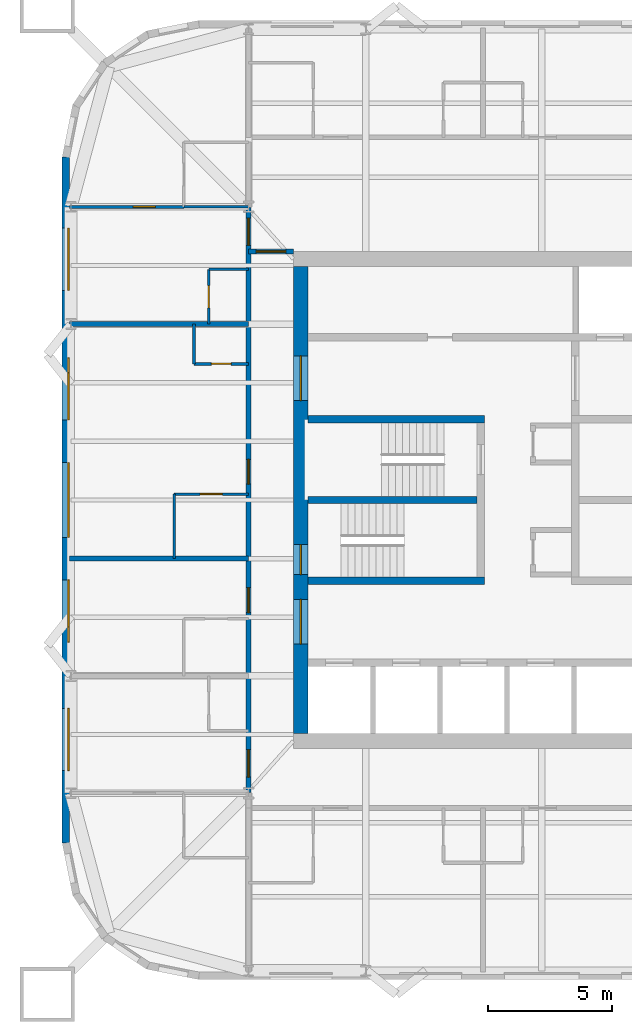
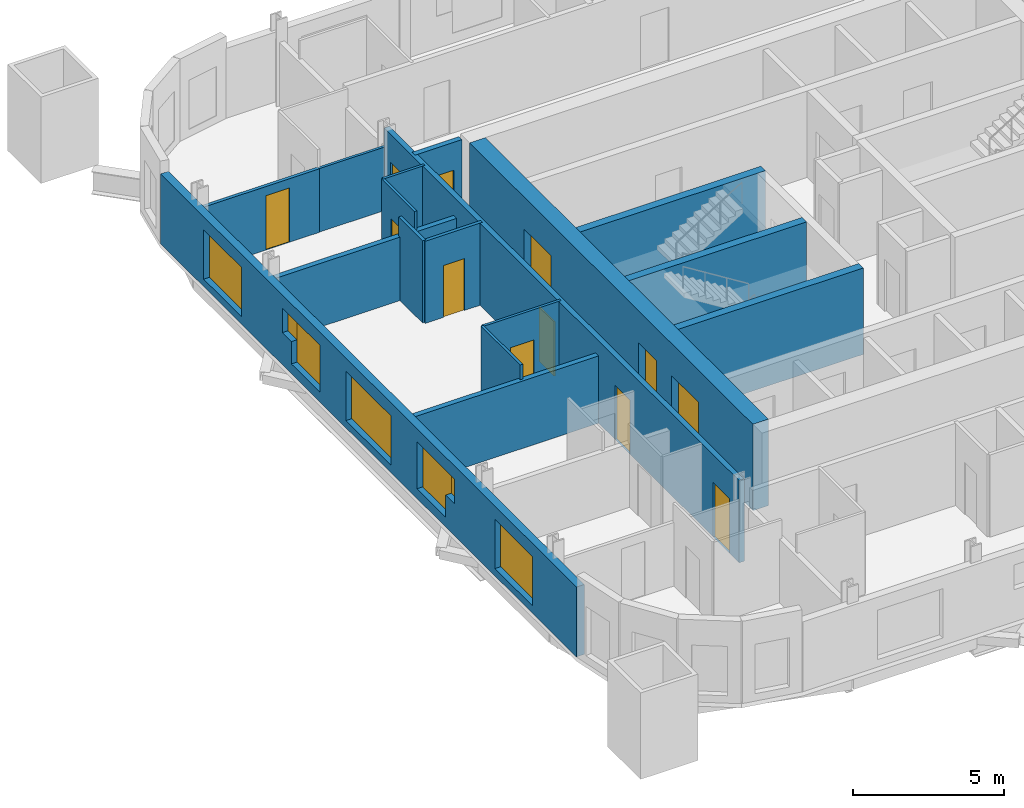
# One storey, part 4 of 9: 17 walls, 12 doors, 7 windows, 19 openings.
"""IFC4 building model written with IfcOpenShell, lengths in metres."""

from ifc_helpers import new_model, si_unit, direction, frame, frame_2d, origin, place, context, subcontext, project, spatial, rectangle, extrude, material, layer, layer_set, type_object, element, fill, save


model = new_model("IFC4")

# Units and contexts
model_context = context("Model", 3, precision=1e-05, world=origin(), true_north=direction((0.0, 1.0)))
body_context = subcontext(model_context, "Body", "Model", "MODEL_VIEW")
ifc_project = project(units=[si_unit("LENGTHUNIT", "METRE"), si_unit("AREAUNIT", "SQUARE_METRE"), si_unit("VOLUMEUNIT", "CUBIC_METRE"), si_unit("PLANEANGLEUNIT", "RADIAN"), si_unit("MASSUNIT", "GRAM", prefix="KILO")], contexts=[model_context])

# Site, building, storey
site_placement = place(None, origin())
site = spatial("IfcSite", under=ifc_project, at=site_placement, CompositionType="ELEMENT")
building_placement = place(site_placement, origin())
building = spatial("IfcBuilding", under=site, at=building_placement, Name="Turquesa Mirador Hotel Tower", CompositionType="ELEMENT")
storey_placement = place(building_placement, frame((0.0, 0.0, 200.300048828125)))
storey = spatial("IfcBuildingStorey", under=building, at=storey_placement, Name="L54", CompositionType="ELEMENT", Elevation=200.300048828125)

# Wall, opening, door
ifc_material_1 = material(Name="Gypsum board on steel studs", Category="steel")
ifc_layer_1 = layer(ifc_material_1, 0.10009765625)
ifc_layer_set_1 = layer_set([ifc_layer_1], Name="BATHROOM WALL 100")
wall_type_1 = type_object("IfcWallType", Name="BATHROOM WALL 100", PredefinedType="PARTITIONING", material=ifc_layer_set_1)
wall_1_placement = place(storey_placement, frame((40.199951171875, 45.239990234375, 0.0), z_axis=(0.0, 0.0, 1.0), x_axis=(1.0, 0.0, 0.0)))
wall_1 = element("IfcWall", 1, at=wall_1_placement, inside=storey, type_object=wall_type_1, Name="Partition L54 020", PredefinedType="PARTITIONING", context=body_context, shape_type="SweptSolid", body=[
    extrude(rectangle(XDim=3.0, YDim=0.10009765625, at=frame_2d((1.5, 0.0))), origin(), (0.0, 0.0, 1.0), 3.329833984375),
])
opening_1_placement = place(wall_1_placement, frame((1.050048828125, 0.0, 0.0)))
opening_1 = element("IfcOpeningElement", 2, at=opening_1_placement, cuts=wall_1, Name="Opening D02", PredefinedType="OPENING", context=body_context, shape_type="SweptSolid", body=[
    extrude(rectangle(XDim=0.89990234375, YDim=2.10009765625, at=frame_2d((0.449951171875, 1.050048828125))), frame((0.0, 0.06005859375, 0.0), z_axis=(0.0, -1.0, 0.0), x_axis=(1.0, 0.0, 0.0)), (0.0, 0.0, 1.0), 0.1201171875),
])
ifc_material_2 = material(Name="Timber veneered door", Category="wood")
door_type_1 = type_object("IfcDoorType", Name="DOOR 900X2100 EN-SUITE", OperationType="SINGLE_SWING_RIGHT", PredefinedType="DOOR", material=ifc_material_2)
door_1_placement = place(opening_1_placement, origin())
door_1 = element("IfcDoor", 3, at=door_1_placement, inside=storey, type_object=door_type_1, Name="Door 5408B", OperationType="SINGLE_SWING_RIGHT", OverallHeight=2.10009765625, OverallWidth=0.89990234375, PredefinedType="DOOR", context=body_context, shape_type="SweptSolid", body=[
    extrude(rectangle(XDim=0.89990234375, YDim=2.10009765625, at=frame_2d((0.449951171875, 1.050048828125))), frame((0.0, 0.02490234375, 0.0), z_axis=(0.0, -1.0, 0.0), x_axis=(1.0, 0.0, 0.0)), (0.0, 0.0, 1.0), 0.050048828125),
])
fill(opening_1, door_1)

# Walls
wall_2_placement = place(storey_placement, frame((40.60009765625, 56.800048828125, 0.0), z_axis=(0.0, 0.0, 1.0), x_axis=(1.0, 0.0, 0.0)))
element("IfcWall", 4, at=wall_2_placement, inside=storey, type_object=wall_type_1, Name="Partition L54 024", PredefinedType="PARTITIONING", context=body_context, shape_type="SweptSolid", body=[
    extrude(rectangle(XDim=2.599853515625, YDim=0.10009765625, at=frame_2d((1.2998046875, 0.0))), origin(), (0.0, 0.0, 1.0), 2.572998046875),
])
wall_3_placement = place(storey_placement, frame((41.60009765625, 54.280029296875, 0.0), z_axis=(0.0, 0.0, 1.0), x_axis=(1.0, 0.0, 0.0)))
element("IfcWall", 5, at=wall_3_placement, inside=storey, type_object=wall_type_1, Name="Partition L54 039", PredefinedType="PARTITIONING", context=body_context, shape_type="SweptSolid", body=[
    extrude(rectangle(XDim=1.599853515625, YDim=0.10009765625, at=frame_2d((0.7998046875, 0.0))), origin(), (0.0, 0.0, 1.0), 3.329833984375),
])

# Wall, opening, door
wall_4_placement = place(storey_placement, frame((41.60009765625, 52.080078125, 0.0), z_axis=(0.0, 0.0, 1.0), x_axis=(0.0, 1.0, 0.0)))
wall_4 = element("IfcWall", 6, at=wall_4_placement, inside=storey, type_object=wall_type_1, Name="Partition L54 047", PredefinedType="PARTITIONING", context=body_context, shape_type="SweptSolid", body=[
    extrude(rectangle(XDim=2.199951171875, YDim=0.10009765625, at=frame_2d((1.10009765625, 0.0))), origin(), (0.0, 0.0, 1.0), 3.329833984375),
])
opening_2_placement = place(wall_4_placement, frame((0.64990234375, 0.0, 0.0)))
opening_2 = element("IfcOpeningElement", 7, at=opening_2_placement, cuts=wall_4, Name="Opening D06", PredefinedType="OPENING", context=body_context, shape_type="SweptSolid", body=[
    extrude(rectangle(XDim=0.89990234375, YDim=2.10009765625, at=frame_2d((0.449951171875, 1.050048828125))), frame((0.0, 0.06005859375, 0.0), z_axis=(0.0, -1.0, 0.0), x_axis=(1.0, 0.0, 0.0)), (0.0, 0.0, 1.0), 0.1201171875),
])
ifc_material_3 = material(Name="Laminate door", Category="wood")
door_type_2 = type_object("IfcDoorType", Name="DOOR 900X2100 WC", OperationType="SINGLE_SWING_LEFT", PredefinedType="DOOR", material=ifc_material_3)
door_2_placement = place(opening_2_placement, origin())
door_2 = element("IfcDoor", 8, at=door_2_placement, inside=storey, type_object=door_type_2, Name="Door 5410W", OperationType="SINGLE_SWING_LEFT", OverallHeight=2.10009765625, OverallWidth=0.89990234375, PredefinedType="DOOR", context=body_context, shape_type="SweptSolid", body=[
    extrude(rectangle(XDim=0.89990234375, YDim=2.10009765625, at=frame_2d((0.449951171875, 1.050048828125))), frame((0.0, 0.02490234375, 0.0), z_axis=(0.0, -1.0, 0.0), x_axis=(1.0, 0.0, 0.0)), (0.0, 0.0, 1.0), 0.050048828125),
])
fill(opening_2, door_2)

# Walls
wall_5_placement = place(storey_placement, frame((40.199951171875, 42.639892578125, 0.0), z_axis=(0.0, 0.0, 1.0), x_axis=(0.0, 1.0, 0.0)))
element("IfcWall", 9, at=wall_5_placement, inside=storey, type_object=wall_type_1, Name="Partition L54 052", PredefinedType="PARTITIONING", context=body_context, shape_type="SweptSolid", body=[
    extrude(rectangle(XDim=2.60009765625, YDim=0.10009765625, at=frame_2d((1.300048828125, 0.0))), origin(), (0.0, 0.0, 1.0), 3.329833984375),
])
ifc_material_4 = material(Name="Concrete C50/60", Category="concrete")
ifc_layer_2 = layer(ifc_material_4, 0.300048828125)
ifc_layer_set_2 = layer_set([ifc_layer_2], Name="CORE INNER WALL 300")
wall_type_2 = type_object("IfcWallType", Name="CORE INNER WALL 300", PredefinedType="SHEAR", material=ifc_layer_set_2)
for number, where, z_axis, x_axis, name in (
    (10, (45.60009765625, 48.25, 0.0), (0.0, 0.0, 1.0), (1.0, 0.0, 0.0), "Core wall MN-W"),
    (11, (45.60009765625, 41.75, 0.0), (0.0, 0.0, 1.0), (1.0, 0.0, 0.0), "Core wall MS-W"),
):
    element("IfcWall", number, at=place(storey_placement, frame(where, z_axis=z_axis, x_axis=x_axis)), inside=storey, type_object=wall_type_2, Name=name, PredefinedType="SHEAR", context=body_context, shape_type="SweptSolid", body=[
        extrude(rectangle(XDim=7.099853515625, YDim=0.300048828125, at=frame_2d((3.5498046875, 0.0))), origin(), (0.0, 0.0, 1.0), 3.5),
    ])
wall_6_placement = place(storey_placement, frame((45.60009765625, 45.0, 0.0), z_axis=(0.0, 0.0, 1.0), x_axis=(1.0, 0.0, 0.0)))
element("IfcWall", 12, at=wall_6_placement, inside=storey, type_object=wall_type_2, Name="Core wall M0-W", PredefinedType="SHEAR", context=body_context, shape_type="SweptSolid", body=[
    extrude(rectangle(XDim=6.7998046875, YDim=0.300048828125, at=frame_2d((3.39990234375, 0.0))), origin(), (0.0, 0.0, 1.0), 3.5),
])

# Wall, openings, doors
ifc_material_5 = material(Name="Concrete C50/60", Category="concrete")
ifc_layer_3 = layer(ifc_material_5, 0.60009765625)
ifc_layer_set_3 = layer_set([ifc_layer_3], Name="CORE WALL 600")
wall_type_3 = type_object("IfcWallType", Name="CORE WALL 600", PredefinedType="SHEAR", material=ifc_layer_set_3)
wall_7_placement = place(storey_placement, frame((45.300048828125, 35.60009765625, 0.0), z_axis=(0.0, 0.0, 1.0), x_axis=(0.0, 1.0, 0.0)))
wall_7 = element("IfcWall", 13, at=wall_7_placement, inside=storey, type_object=wall_type_3, Name="Core wall W", PredefinedType="SHEAR", context=body_context, shape_type="SweptSolid", body=[
    extrude(rectangle(XDim=18.7998046875, YDim=0.60009765625, at=frame_2d((9.39990234375, 0.0))), origin(), (0.0, 0.0, 1.0), 3.5),
])
opening_3_placement = place(wall_7_placement, frame((13.39990234375, 0.0, 0.0)))
opening_3 = element("IfcOpeningElement", 14, at=opening_3_placement, cuts=wall_7, Name="Opening D04", PredefinedType="OPENING", context=body_context, shape_type="SweptSolid", body=[
    extrude(rectangle(XDim=1.800048828125, YDim=2.199951171875, at=frame_2d((0.89990234375, 1.10009765625))), frame((0.0, 0.31005859375, 0.0), z_axis=(0.0, -1.0, 0.0), x_axis=(1.0, 0.0, 0.0)), (0.0, 0.0, 1.0), 0.6201171875),
])
opening_4_placement = place(wall_7_placement, frame((3.60009765625, 0.0, 0.0)))
opening_4 = element("IfcOpeningElement", 15, at=opening_4_placement, cuts=wall_7, Name="Opening D04", PredefinedType="OPENING", context=body_context, shape_type="SweptSolid", body=[
    extrude(rectangle(XDim=1.800048828125, YDim=2.199951171875, at=frame_2d((0.89990234375, 1.10009765625))), frame((0.0, 0.31005859375, 0.0), z_axis=(0.0, -1.0, 0.0), x_axis=(1.0, 0.0, 0.0)), (0.0, 0.0, 1.0), 0.6201171875),
])
opening_5_placement = place(wall_7_placement, frame((6.39990234375, 0.0, 0.0)))
opening_5 = element("IfcOpeningElement", 16, at=opening_5_placement, cuts=wall_7, Name="Opening D03", PredefinedType="OPENING", context=body_context, shape_type="SweptSolid", body=[
    extrude(rectangle(XDim=1.199951171875, YDim=2.199951171875, at=frame_2d((0.60009765625, 1.10009765625))), frame((0.0, 0.31005859375, 0.0), z_axis=(0.0, -1.0, 0.0), x_axis=(1.0, 0.0, 0.0)), (0.0, 0.0, 1.0), 0.6201171875),
])
ifc_material_6 = material(Name="Steel fire door", Category="steel")
door_type_3 = type_object("IfcDoorType", Name="DOOR 1200X2200 STAIR", OperationType="SINGLE_SWING_LEFT", PredefinedType="DOOR", material=ifc_material_6)
door_3_placement = place(opening_5_placement, origin())
door_3 = element("IfcDoor", 17, at=door_3_placement, inside=storey, type_object=door_type_3, Name="Stair ST2 door", OperationType="SINGLE_SWING_LEFT", OverallHeight=2.199951171875, OverallWidth=1.199951171875, PredefinedType="DOOR", context=body_context, shape_type="SweptSolid", body=[
    extrude(rectangle(XDim=1.199951171875, YDim=2.199951171875, at=frame_2d((0.60009765625, 1.10009765625))), frame((0.0, 0.02490234375, 0.0), z_axis=(0.0, -1.0, 0.0), x_axis=(1.0, 0.0, 0.0)), (0.0, 0.0, 1.0), 0.050048828125),
])
fill(opening_5, door_3)
ifc_material_7 = material(Name="Steel fire door pair", Category="steel")
door_type_4 = type_object("IfcDoorType", Name="DOOR 1800X2200 PAIR", OperationType="DOUBLE_DOOR_SINGLE_SWING", PredefinedType="DOOR", material=ifc_material_7)
door_4_placement = place(opening_3_placement, origin())
door_4 = element("IfcDoor", 18, at=door_4_placement, inside=storey, type_object=door_type_4, Name="North lift lobby door", OperationType="DOUBLE_DOOR_SINGLE_SWING", OverallHeight=2.199951171875, OverallWidth=1.800048828125, PredefinedType="DOOR", context=body_context, shape_type="SweptSolid", body=[
    extrude(rectangle(XDim=1.800048828125, YDim=2.199951171875, at=frame_2d((0.89990234375, 1.10009765625))), frame((0.0, 0.02490234375, 0.0), z_axis=(0.0, -1.0, 0.0), x_axis=(1.0, 0.0, 0.0)), (0.0, 0.0, 1.0), 0.050048828125),
])
fill(opening_3, door_4)
door_5_placement = place(opening_4_placement, origin())
door_5 = element("IfcDoor", 19, at=door_5_placement, inside=storey, type_object=door_type_4, Name="South lift lobby door", OperationType="DOUBLE_DOOR_SINGLE_SWING", OverallHeight=2.199951171875, OverallWidth=1.800048828125, PredefinedType="DOOR", context=body_context, shape_type="SweptSolid", body=[
    extrude(rectangle(XDim=1.800048828125, YDim=2.199951171875, at=frame_2d((0.89990234375, 1.10009765625))), frame((0.0, 0.02490234375, 0.0), z_axis=(0.0, -1.0, 0.0), x_axis=(1.0, 0.0, 0.0)), (0.0, 0.0, 1.0), 0.050048828125),
])
fill(opening_4, door_5)

# Wall, opening, door
ifc_material_8 = material(Name="Fire-rated gypsum board on steel studs", Category="steel")
ifc_layer_4 = layer(ifc_material_8, 0.199951171875)
ifc_layer_set_4 = layer_set([ifc_layer_4], Name="CORRIDOR WALL 200")
wall_type_4 = type_object("IfcWallType", Name="CORRIDOR WALL 200", PredefinedType="PARTITIONING", material=ifc_layer_set_4)
wall_8_placement = place(storey_placement, frame((43.199951171875, 55.0, 0.0), z_axis=(0.0, 0.0, 1.0), x_axis=(1.0, 0.0, 0.0)))
wall_8 = element("IfcWall", 20, at=wall_8_placement, inside=storey, type_object=wall_type_4, Name="Partition L54 022", PredefinedType="PARTITIONING", context=body_context, shape_type="SweptSolid", body=[
    extrude(rectangle(XDim=1.800048828125, YDim=0.199951171875, at=frame_2d((0.89990234375, 0.0))), origin(), (0.0, 0.0, 1.0), 3.329833984375),
])
opening_6_placement = place(wall_8_placement, frame((0.300048828125, 0.0, 0.0)))
opening_6 = element("IfcOpeningElement", 21, at=opening_6_placement, cuts=wall_8, Name="Opening D19", PredefinedType="OPENING", context=body_context, shape_type="SweptSolid", body=[
    extrude(rectangle(XDim=1.199951171875, YDim=2.199951171875, at=frame_2d((0.60009765625, 1.10009765625))), frame((0.0, 0.10986328125, 0.0), z_axis=(0.0, -1.0, 0.0), x_axis=(1.0, 0.0, 0.0)), (0.0, 0.0, 1.0), 0.219970703125),
])
ifc_material_9 = material(Name="Steel glazed fire door", Category="steel")
door_type_5 = type_object("IfcDoorType", Name="DOOR 1200X2200 FIRE DOOR GLAZED", OperationType="SINGLE_SWING_LEFT", PredefinedType="DOOR", material=ifc_material_9)
door_6_placement = place(opening_6_placement, origin())
door_6 = element("IfcDoor", 22, at=door_6_placement, inside=storey, type_object=door_type_5, Name="Door L54-C03", OperationType="SINGLE_SWING_LEFT", OverallHeight=2.199951171875, OverallWidth=1.199951171875, PredefinedType="DOOR", context=body_context, shape_type="SweptSolid", body=[
    extrude(rectangle(XDim=1.199951171875, YDim=2.199951171875, at=frame_2d((0.60009765625, 1.10009765625))), frame((0.0, 0.02490234375, 0.0), z_axis=(0.0, -1.0, 0.0), x_axis=(1.0, 0.0, 0.0)), (0.0, 0.0, 1.0), 0.050048828125),
])
fill(opening_6, door_6)

# Wall, openings, doors
wall_9_placement = place(storey_placement, frame((43.199951171875, 33.219970703125, 0.0), z_axis=(0.0, 0.0, 1.0), x_axis=(0.0, 1.0, 0.0)))
wall_9 = element("IfcWall", 23, at=wall_9_placement, inside=storey, type_object=wall_type_4, Name="Partition L54 043", PredefinedType="PARTITIONING", context=body_context, shape_type="SweptSolid", body=[
    extrude(rectangle(XDim=23.56005859375, YDim=0.199951171875, at=frame_2d((11.780029296875, 0.0))), origin(), (0.0, 0.0, 1.0), 3.329833984375),
])
opening_7_placement = place(wall_9_placement, frame((7.25, 0.0, 0.0)))
opening_7 = element("IfcOpeningElement", 24, at=opening_7_placement, cuts=wall_9, Name="Opening D01", PredefinedType="OPENING", context=body_context, shape_type="SweptSolid", body=[
    extrude(rectangle(XDim=1.0, YDim=2.199951171875, at=frame_2d((0.5, 1.10009765625))), frame((0.0, 0.10986328125, 0.0), z_axis=(0.0, -1.0, 0.0), x_axis=(1.0, 0.0, 0.0)), (0.0, 0.0, 1.0), 0.219970703125),
])
opening_8_placement = place(wall_9_placement, frame((12.419921875, 0.0, 0.0)))
opening_8 = element("IfcOpeningElement", 25, at=opening_8_placement, cuts=wall_9, Name="Opening D01", PredefinedType="OPENING", context=body_context, shape_type="SweptSolid", body=[
    extrude(rectangle(XDim=1.0, YDim=2.199951171875, at=frame_2d((0.5, 1.10009765625))), frame((0.0, 0.10986328125, 0.0), z_axis=(0.0, -1.0, 0.0), x_axis=(1.0, 0.0, 0.0)), (0.0, 0.0, 1.0), 0.219970703125),
])
opening_9_placement = place(wall_9_placement, frame((22.030029296875, 0.0, 0.0)))
opening_9 = element("IfcOpeningElement", 26, at=opening_9_placement, cuts=wall_9, Name="Opening D15", PredefinedType="OPENING", context=body_context, shape_type="SweptSolid", body=[
    extrude(rectangle(XDim=1.10009765625, YDim=2.199951171875, at=frame_2d((0.550048828125, 1.10009765625))), frame((0.0, 0.10986328125, 0.0), z_axis=(0.0, -1.0, 0.0), x_axis=(1.0, 0.0, 0.0)), (0.0, 0.0, 1.0), 0.219970703125),
])
opening_10_placement = place(wall_9_placement, frame((0.6298828125, 0.0, 0.0)))
opening_10 = element("IfcOpeningElement", 27, at=opening_10_placement, cuts=wall_9, Name="Opening D15", PredefinedType="OPENING", context=body_context, shape_type="SweptSolid", body=[
    extrude(rectangle(XDim=1.10009765625, YDim=2.199951171875, at=frame_2d((0.550048828125, 1.10009765625))), frame((0.0, 0.10986328125, 0.0), z_axis=(0.0, -1.0, 0.0), x_axis=(1.0, 0.0, 0.0)), (0.0, 0.0, 1.0), 0.219970703125),
])
ifc_material_10 = material(Name="Timber veneered fire door", Category="wood")
door_type_6 = type_object("IfcDoorType", Name="DOOR 1000X2200 GUEST ENTRY", OperationType="SINGLE_SWING_LEFT", PredefinedType="DOOR", material=ifc_material_10)
door_7_placement = place(opening_7_placement, origin())
door_7 = element("IfcDoor", 28, at=door_7_placement, inside=storey, type_object=door_type_6, Name="Door 5407", OperationType="SINGLE_SWING_LEFT", OverallHeight=2.199951171875, OverallWidth=1.0, PredefinedType="DOOR", context=body_context, shape_type="SweptSolid", body=[
    extrude(rectangle(XDim=1.0, YDim=2.199951171875, at=frame_2d((0.5, 1.10009765625))), frame((0.0, 0.02490234375, 0.0), z_axis=(0.0, -1.0, 0.0), x_axis=(1.0, 0.0, 0.0)), (0.0, 0.0, 1.0), 0.050048828125),
])
fill(opening_7, door_7)
door_8_placement = place(opening_8_placement, origin())
door_8 = element("IfcDoor", 29, at=door_8_placement, inside=storey, type_object=door_type_6, Name="Door 5408", OperationType="SINGLE_SWING_LEFT", OverallHeight=2.199951171875, OverallWidth=1.0, PredefinedType="DOOR", context=body_context, shape_type="SweptSolid", body=[
    extrude(rectangle(XDim=1.0, YDim=2.199951171875, at=frame_2d((0.5, 1.10009765625))), frame((0.0, 0.02490234375, 0.0), z_axis=(0.0, -1.0, 0.0), x_axis=(1.0, 0.0, 0.0)), (0.0, 0.0, 1.0), 0.050048828125),
])
fill(opening_8, door_8)
ifc_material_11 = material(Name="Timber veneered fire door", Category="wood")
door_type_7 = type_object("IfcDoorType", Name="DOOR 1100X2200 SUITE ENTRY", OperationType="SINGLE_SWING_LEFT", PredefinedType="DOOR", material=ifc_material_11)
door_9_placement = place(opening_9_placement, origin())
door_9 = element("IfcDoor", 30, at=door_9_placement, inside=storey, type_object=door_type_7, Name="Door 5410", OperationType="SINGLE_SWING_LEFT", OverallHeight=2.199951171875, OverallWidth=1.10009765625, PredefinedType="DOOR", context=body_context, shape_type="SweptSolid", body=[
    extrude(rectangle(XDim=1.10009765625, YDim=2.199951171875, at=frame_2d((0.550048828125, 1.10009765625))), frame((0.0, 0.02490234375, 0.0), z_axis=(0.0, -1.0, 0.0), x_axis=(1.0, 0.0, 0.0)), (0.0, 0.0, 1.0), 0.050048828125),
])
fill(opening_9, door_9)
door_10_placement = place(opening_10_placement, origin())
door_10 = element("IfcDoor", 31, at=door_10_placement, inside=storey, type_object=door_type_7, Name="Door 5411", OperationType="SINGLE_SWING_LEFT", OverallHeight=2.199951171875, OverallWidth=1.10009765625, PredefinedType="DOOR", context=body_context, shape_type="SweptSolid", body=[
    extrude(rectangle(XDim=1.10009765625, YDim=2.199951171875, at=frame_2d((0.550048828125, 1.10009765625))), frame((0.0, 0.02490234375, 0.0), z_axis=(0.0, -1.0, 0.0), x_axis=(1.0, 0.0, 0.0)), (0.0, 0.0, 1.0), 0.050048828125),
])
fill(opening_10, door_10)

# Wall, openings, windows
ifc_material_12 = material(Name="Limestone cladding on concrete block", Category="masonry")
ifc_layer_5 = layer(ifc_material_12, 0.300048828125)
ifc_layer_set_5 = layer_set([ifc_layer_5], Name="FACADE WALL 300 STONE SCREEN")
wall_type_5 = type_object("IfcWallType", Name="FACADE WALL 300 STONE SCREEN", PredefinedType="SOLIDWALL", material=ifc_layer_set_5)
wall_10_placement = place(storey_placement, frame((35.85009765625, 58.800048828125, 0.0), z_axis=(0.0, 0.0, 1.0), x_axis=(0.0, -1.0, 0.0)))
wall_10 = element("IfcWall", 32, at=wall_10_placement, inside=storey, type_object=wall_type_5, Name="Facade wall L54 14", PredefinedType="SOLIDWALL", context=body_context, shape_type="SweptSolid", body=[
    extrude(rectangle(XDim=27.60009765625, YDim=0.300048828125, at=frame_2d((13.800048828125, 0.0))), origin(), (0.0, 0.0, 1.0), 2.829833984375),
])
opening_11_placement = place(wall_10_placement, frame((2.860107421875, 0.0, 0.300048828125)))
opening_11 = element("IfcOpeningElement", 33, at=opening_11_placement, cuts=wall_10, Name="Opening WN52", PredefinedType="OPENING", context=body_context, shape_type="SweptSolid", body=[
    extrude(rectangle(XDim=2.5, YDim=2.0, at=frame_2d((1.25, 1.0))), frame((0.0, 0.159912109375, 0.0), z_axis=(0.0, -1.0, 0.0), x_axis=(1.0, 0.0, 0.0)), (0.0, 0.0, 1.0), 0.320068359375),
])
opening_12_placement = place(wall_10_placement, frame((8.679931640625, 0.0, 0.39990234375)))
opening_12 = element("IfcOpeningElement", 34, at=opening_12_placement, cuts=wall_10, Name="Opening WN48", PredefinedType="OPENING", context=body_context, shape_type="SweptSolid", body=[
    extrude(rectangle(XDim=1.89990234375, YDim=1.89990234375, at=frame_2d((0.949951171875, 0.949951171875))), frame((0.0, 0.159912109375, 0.0), z_axis=(0.0, -1.0, 0.0), x_axis=(1.0, 0.0, 0.0)), (0.0, 0.0, 1.0), 0.320068359375),
])
opening_13_placement = place(wall_10_placement, frame((12.300048828125, 0.0, 0.300048828125)))
opening_13 = element("IfcOpeningElement", 35, at=opening_13_placement, cuts=wall_10, Name="Opening WN1", PredefinedType="OPENING", context=body_context, shape_type="SweptSolid", body=[
    extrude(rectangle(XDim=3.0, YDim=2.0, at=frame_2d((1.5, 1.0))), frame((0.0, 0.159912109375, 0.0), z_axis=(0.0, -1.0, 0.0), x_axis=(1.0, 0.0, 0.0)), (0.0, 0.0, 1.0), 0.320068359375),
])
opening_14_placement = place(wall_10_placement, frame((17.02001953125, 0.0, 0.39990234375)))
opening_14 = element("IfcOpeningElement", 36, at=opening_14_placement, cuts=wall_10, Name="Opening WN48", PredefinedType="OPENING", context=body_context, shape_type="SweptSolid", body=[
    extrude(rectangle(XDim=1.89990234375, YDim=1.89990234375, at=frame_2d((0.949951171875, 0.949951171875))), frame((0.0, 0.159912109375, 0.0), z_axis=(0.0, -1.0, 0.0), x_axis=(1.0, 0.0, 0.0)), (0.0, 0.0, 1.0), 0.320068359375),
])
opening_15_placement = place(wall_10_placement, frame((22.18994140625, 0.0, 0.300048828125)))
opening_15 = element("IfcOpeningElement", 37, at=opening_15_placement, cuts=wall_10, Name="Opening WN52", PredefinedType="OPENING", context=body_context, shape_type="SweptSolid", body=[
    extrude(rectangle(XDim=2.5, YDim=2.0, at=frame_2d((1.25, 1.0))), frame((0.0, 0.159912109375, 0.0), z_axis=(0.0, -1.0, 0.0), x_axis=(1.0, 0.0, 0.0)), (0.0, 0.0, 1.0), 0.320068359375),
])
opening_16_placement = place(wall_10_placement, frame((8.080078125, 0.0, 1.300048828125)))
opening_16 = element("IfcOpeningElement", 38, at=opening_16_placement, cuts=wall_10, Name="Opening WN29", PredefinedType="OPENING", context=body_context, shape_type="SweptSolid", body=[
    extrude(rectangle(XDim=0.60009765625, YDim=1.0, at=frame_2d((0.300048828125, 0.5))), frame((0.0, 0.159912109375, 0.0), z_axis=(0.0, -1.0, 0.0), x_axis=(1.0, 0.0, 0.0)), (0.0, 0.0, 1.0), 0.320068359375),
])
opening_17_placement = place(wall_10_placement, frame((18.919921875, 0.0, 1.300048828125)))
opening_17 = element("IfcOpeningElement", 39, at=opening_17_placement, cuts=wall_10, Name="Opening WN29", PredefinedType="OPENING", context=body_context, shape_type="SweptSolid", body=[
    extrude(rectangle(XDim=0.60009765625, YDim=1.0, at=frame_2d((0.300048828125, 0.5))), frame((0.0, 0.159912109375, 0.0), z_axis=(0.0, -1.0, 0.0), x_axis=(1.0, 0.0, 0.0)), (0.0, 0.0, 1.0), 0.320068359375),
])
ifc_material_13 = material(Name="Ceramic-fritted laminated glass", Category="glass")
window_type_1 = type_object("IfcWindowType", Name="FRITTED WINDOW 1900X1900", PartitioningType="DOUBLE_PANEL_HORIZONTAL", PredefinedType="WINDOW", material=ifc_material_13)
window_1_placement = place(opening_12_placement, origin())
window_1 = element("IfcWindow", 40, at=window_1_placement, inside=storey, type_object=window_type_1, Name="Window L54", OverallHeight=1.89990234375, OverallWidth=1.89990234375, PartitioningType="SINGLE_PANEL", PredefinedType="WINDOW", context=body_context, shape_type="SweptSolid", body=[
    extrude(rectangle(XDim=1.89990234375, YDim=1.89990234375, at=frame_2d((0.949951171875, 0.949951171875))), frame((0.0, 0.130126953125, 0.0), z_axis=(0.0, -1.0, 0.0), x_axis=(1.0, 0.0, 0.0)), (0.0, 0.0, 1.0), 0.06005859375),
])
fill(opening_12, window_1)
window_2_placement = place(opening_14_placement, origin())
window_2 = element("IfcWindow", 41, at=window_2_placement, inside=storey, type_object=window_type_1, Name="Window L54", OverallHeight=1.89990234375, OverallWidth=1.89990234375, PartitioningType="SINGLE_PANEL", PredefinedType="WINDOW", context=body_context, shape_type="SweptSolid", body=[
    extrude(rectangle(XDim=1.89990234375, YDim=1.89990234375, at=frame_2d((0.949951171875, 0.949951171875))), frame((0.0, 0.130126953125, 0.0), z_axis=(0.0, -1.0, 0.0), x_axis=(1.0, 0.0, 0.0)), (0.0, 0.0, 1.0), 0.06005859375),
])
fill(opening_14, window_2)
ifc_material_14 = material(Name="Ceramic-fritted laminated glass", Category="glass")
window_type_2 = type_object("IfcWindowType", Name="FRITTED WINDOW 2500X2000", PartitioningType="DOUBLE_PANEL_HORIZONTAL", PredefinedType="WINDOW", material=ifc_material_14)
window_3_placement = place(opening_11_placement, origin())
window_3 = element("IfcWindow", 42, at=window_3_placement, inside=storey, type_object=window_type_2, Name="Window L54", OverallHeight=2.0, OverallWidth=2.5, PartitioningType="SINGLE_PANEL", PredefinedType="WINDOW", context=body_context, shape_type="SweptSolid", body=[
    extrude(rectangle(XDim=2.5, YDim=2.0, at=frame_2d((1.25, 1.0))), frame((0.0, 0.130126953125, 0.0), z_axis=(0.0, -1.0, 0.0), x_axis=(1.0, 0.0, 0.0)), (0.0, 0.0, 1.0), 0.06005859375),
])
fill(opening_11, window_3)
window_4_placement = place(opening_15_placement, origin())
window_4 = element("IfcWindow", 43, at=window_4_placement, inside=storey, type_object=window_type_2, Name="Window L54", OverallHeight=2.0, OverallWidth=2.5, PartitioningType="SINGLE_PANEL", PredefinedType="WINDOW", context=body_context, shape_type="SweptSolid", body=[
    extrude(rectangle(XDim=2.5, YDim=2.0, at=frame_2d((1.25, 1.0))), frame((0.0, 0.130126953125, 0.0), z_axis=(0.0, -1.0, 0.0), x_axis=(1.0, 0.0, 0.0)), (0.0, 0.0, 1.0), 0.06005859375),
])
fill(opening_15, window_4)
ifc_material_15 = material(Name="Ceramic-fritted laminated glass", Category="glass")
window_type_3 = type_object("IfcWindowType", Name="FRITTED WINDOW 3000X2000", PartitioningType="DOUBLE_PANEL_HORIZONTAL", PredefinedType="WINDOW", material=ifc_material_15)
window_5_placement = place(opening_13_placement, origin())
window_5 = element("IfcWindow", 44, at=window_5_placement, inside=storey, type_object=window_type_3, Name="Window L54", OverallHeight=2.0, OverallWidth=3.0, PartitioningType="SINGLE_PANEL", PredefinedType="WINDOW", context=body_context, shape_type="SweptSolid", body=[
    extrude(rectangle(XDim=3.0, YDim=2.0, at=frame_2d((1.5, 1.0))), frame((0.0, 0.130126953125, 0.0), z_axis=(0.0, -1.0, 0.0), x_axis=(1.0, 0.0, 0.0)), (0.0, 0.0, 1.0), 0.06005859375),
])
fill(opening_13, window_5)
ifc_material_16 = material(Name="Ceramic-fritted laminated glass", Category="glass")
window_type_4 = type_object("IfcWindowType", Name="FRITTED WINDOW 600X1000", PartitioningType="DOUBLE_PANEL_HORIZONTAL", PredefinedType="WINDOW", material=ifc_material_16)
window_6_placement = place(opening_16_placement, origin())
window_6 = element("IfcWindow", 45, at=window_6_placement, inside=storey, type_object=window_type_4, Name="Window L54", OverallHeight=1.0, OverallWidth=0.60009765625, PartitioningType="SINGLE_PANEL", PredefinedType="WINDOW", context=body_context, shape_type="SweptSolid", body=[
    extrude(rectangle(XDim=0.60009765625, YDim=1.0, at=frame_2d((0.300048828125, 0.5))), frame((0.0, 0.130126953125, 0.0), z_axis=(0.0, -1.0, 0.0), x_axis=(1.0, 0.0, 0.0)), (0.0, 0.0, 1.0), 0.06005859375),
])
fill(opening_16, window_6)
window_7_placement = place(opening_17_placement, origin())
window_7 = element("IfcWindow", 46, at=window_7_placement, inside=storey, type_object=window_type_4, Name="Window L54", OverallHeight=1.0, OverallWidth=0.60009765625, PartitioningType="SINGLE_PANEL", PredefinedType="WINDOW", context=body_context, shape_type="SweptSolid", body=[
    extrude(rectangle(XDim=0.60009765625, YDim=1.0, at=frame_2d((0.300048828125, 0.5))), frame((0.0, 0.130126953125, 0.0), z_axis=(0.0, -1.0, 0.0), x_axis=(1.0, 0.0, 0.0)), (0.0, 0.0, 1.0), 0.06005859375),
])
fill(opening_17, window_7)

# Walls
ifc_material_17 = material(Name="Fire-rated gypsum board on steel studs", Category="steel")
ifc_layer_6 = layer(ifc_material_17, 0.199951171875)
ifc_layer_set_6 = layer_set([ifc_layer_6], Name="PARTY WALL 200")
wall_type_6 = type_object("IfcWallType", Name="PARTY WALL 200", PredefinedType="PARTITIONING", material=ifc_layer_set_6)
wall_11_placement = place(storey_placement, frame((36.0, 42.639892578125, 0.0), z_axis=(0.0, 0.0, 1.0), x_axis=(1.0, 0.0, 0.0)))
element("IfcWall", 47, at=wall_11_placement, inside=storey, type_object=wall_type_6, Name="Partition L54 012", PredefinedType="PARTITIONING", context=body_context, shape_type="SweptSolid", body=[
    extrude(rectangle(XDim=7.199951171875, YDim=0.199951171875, at=frame_2d((3.60009765625, 0.0))), origin(), (0.0, 0.0, 1.0), 2.73046875),
])
wall_12_placement = place(storey_placement, frame((36.0, 52.080078125, 0.0), z_axis=(0.0, 0.0, 1.0), x_axis=(1.0, 0.0, 0.0)))
element("IfcWall", 48, at=wall_12_placement, inside=storey, type_object=wall_type_6, Name="Partition L54 037", PredefinedType="PARTITIONING", context=body_context, shape_type="SweptSolid", body=[
    extrude(rectangle(XDim=7.199951171875, YDim=0.199951171875, at=frame_2d((3.60009765625, 0.0))), origin(), (0.0, 0.0, 1.0), 2.572998046875),
])

# Wall, opening, door
ifc_material_18 = material(Name="Acoustic gypsum board on steel studs", Category="steel")
ifc_layer_7 = layer(ifc_material_18, 0.125)
ifc_layer_set_7 = layer_set([ifc_layer_7], Name="SUITE PARTITION 125")
wall_type_7 = type_object("IfcWallType", Name="SUITE PARTITION 125", PredefinedType="PARTITIONING", material=ifc_layer_set_7)
wall_13_placement = place(storey_placement, frame((36.0, 56.800048828125, 0.0), z_axis=(0.0, 0.0, 1.0), x_axis=(1.0, 0.0, 0.0)))
wall_13 = element("IfcWall", 49, at=wall_13_placement, inside=storey, type_object=wall_type_7, Name="Partition L54 026", PredefinedType="PARTITIONING", context=body_context, shape_type="SweptSolid", body=[
    extrude(rectangle(XDim=4.60009765625, YDim=0.125, at=frame_2d((2.300048828125, 0.0))), origin(), (0.0, 0.0, 1.0), 2.572998046875),
])
opening_18_placement = place(wall_13_placement, frame((2.550048828125, 0.0, 0.0)))
opening_18 = element("IfcOpeningElement", 50, at=opening_18_placement, cuts=wall_13, Name="Opening D17", PredefinedType="OPENING", context=body_context, shape_type="SweptSolid", body=[
    extrude(rectangle(XDim=0.89990234375, YDim=2.199951171875, at=frame_2d((0.449951171875, 1.10009765625))), frame((0.0, 0.072509765625, 0.0), z_axis=(0.0, -1.0, 0.0), x_axis=(1.0, 0.0, 0.0)), (0.0, 0.0, 1.0), 0.14501953125),
])
ifc_material_19 = material(Name="Timber veneered door", Category="wood")
door_type_8 = type_object("IfcDoorType", Name="DOOR 900X2200 SUITE INTERNAL", OperationType="SINGLE_SWING_LEFT", PredefinedType="DOOR", material=ifc_material_19)
door_11_placement = place(opening_18_placement, origin())
door_11 = element("IfcDoor", 51, at=door_11_placement, inside=storey, type_object=door_type_8, Name="Door 5410R", OperationType="SINGLE_SWING_LEFT", OverallHeight=2.199951171875, OverallWidth=0.89990234375, PredefinedType="DOOR", context=body_context, shape_type="SweptSolid", body=[
    extrude(rectangle(XDim=0.89990234375, YDim=2.199951171875, at=frame_2d((0.449951171875, 1.10009765625))), frame((0.0, 0.02490234375, 0.0), z_axis=(0.0, -1.0, 0.0), x_axis=(1.0, 0.0, 0.0)), (0.0, 0.0, 1.0), 0.050048828125),
])
fill(opening_18, door_11)

wall_14_placement = place(storey_placement, frame((41.0, 50.47998046875, 0.0), z_axis=(0.0, 0.0, 1.0), x_axis=(1.0, 0.0, 0.0)))
wall_14 = element("IfcWall", 52, at=wall_14_placement, inside=storey, type_object=wall_type_7, Name="Partition L54 035", PredefinedType="PARTITIONING", context=body_context, shape_type="SweptSolid", body=[
    extrude(rectangle(XDim=2.199951171875, YDim=0.125, at=frame_2d((1.10009765625, 0.0))), origin(), (0.0, 0.0, 1.0), 3.329833984375),
])
opening_19_placement = place(wall_14_placement, frame((0.699951171875, 0.0, 0.0)))
opening_19 = element("IfcOpeningElement", 53, at=opening_19_placement, cuts=wall_14, Name="Opening D20", PredefinedType="OPENING", context=body_context, shape_type="SweptSolid", body=[
    extrude(rectangle(XDim=0.800048828125, YDim=2.10009765625, at=frame_2d((0.39990234375, 1.050048828125))), frame((0.0, 0.072509765625, 0.0), z_axis=(0.0, -1.0, 0.0), x_axis=(1.0, 0.0, 0.0)), (0.0, 0.0, 1.0), 0.14501953125),
])
ifc_material_20 = material(Name="Timber veneered sliding door", Category="wood")
door_type_9 = type_object("IfcDoorType", Name="DOOR 800X2100 WARDROBE", OperationType="SLIDING_TO_LEFT", PredefinedType="DOOR", material=ifc_material_20)
door_12_placement = place(opening_19_placement, origin())
door_12 = element("IfcDoor", 54, at=door_12_placement, inside=storey, type_object=door_type_9, Name="Door 5408W", OperationType="SLIDING_TO_LEFT", OverallHeight=2.10009765625, OverallWidth=0.800048828125, PredefinedType="DOOR", context=body_context, shape_type="SweptSolid", body=[
    extrude(rectangle(XDim=0.800048828125, YDim=2.10009765625, at=frame_2d((0.39990234375, 1.050048828125))), frame((0.0, 0.02490234375, 0.0), z_axis=(0.0, -1.0, 0.0), x_axis=(1.0, 0.0, 0.0)), (0.0, 0.0, 1.0), 0.050048828125),
])
fill(opening_19, door_12)

# Wall
wall_15_placement = place(storey_placement, frame((41.0, 50.47998046875, 0.0), z_axis=(0.0, 0.0, 1.0), x_axis=(0.0, 1.0, 0.0)))
element("IfcWall", 55, at=wall_15_placement, inside=storey, type_object=wall_type_7, Name="Partition L54 048", PredefinedType="PARTITIONING", context=body_context, shape_type="SweptSolid", body=[
    extrude(rectangle(XDim=1.60009765625, YDim=0.125, at=frame_2d((0.800048828125, 0.0))), origin(), (0.0, 0.0, 1.0), 3.329833984375),
])

save(model, "model.ifc")
